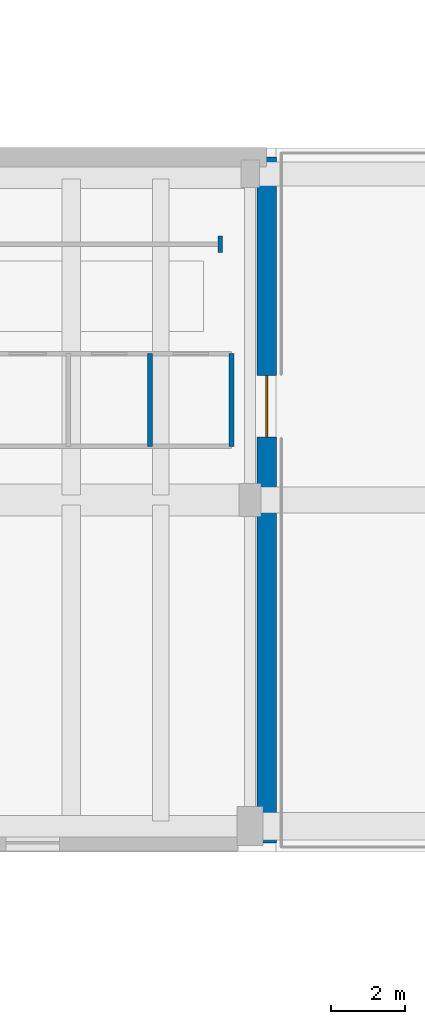
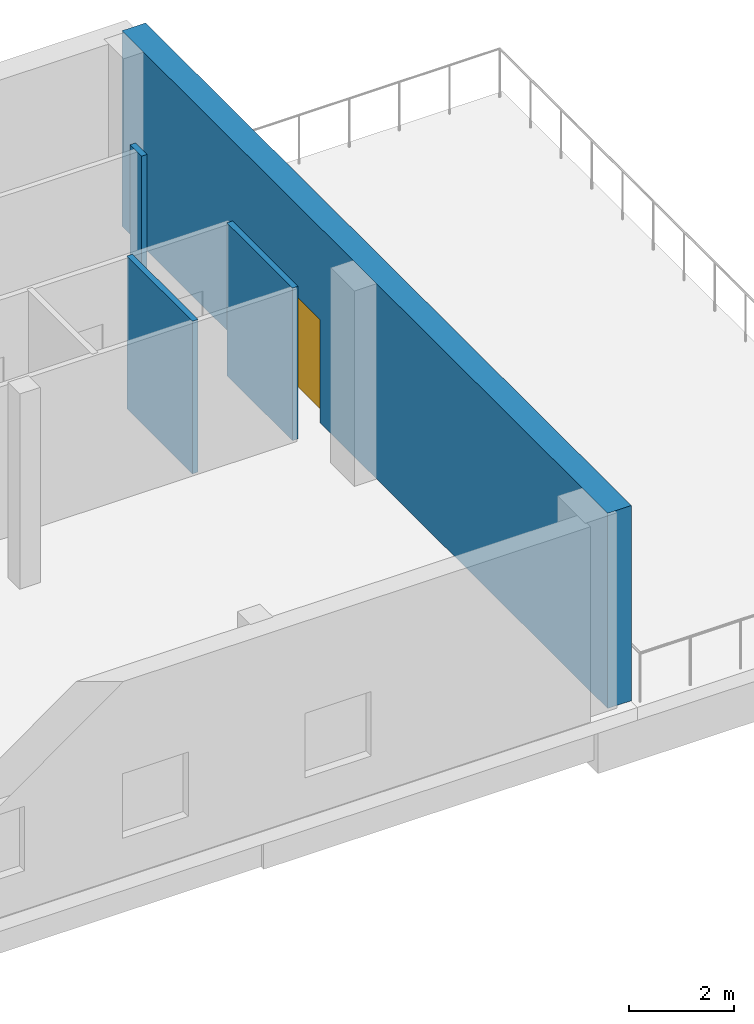
# One storey, part 40 of 49: 4 walls, 1 door, 1 opening.
"""IFC4 building model written with IfcOpenShell, lengths in metres."""

import ifcopenshell
import ifcopenshell.guid

model = None  # the IFC model being written
_history = None  # IfcOwnerHistory: only IFC2X3 demands one
_inside = {}  # id of a spatial element -> (the spatial element, [elements in it])
_under = {}  # id of a project, library or spatial element -> (it, [spatial elements below it])
_declared = {}  # id of a project -> (the project, [libraries it declares])
_typed = {}  # id of a type object -> (the type object, [elements of that type])
_made_of = {}  # id of a material, layer set ... -> (it, [elements and type objects made of it])


def new_model(schema):
    """Start an empty IFC model of exactly this schema.

    Asked for "IFC4X3", IfcOpenShell would pick the latest addendum, in which some entities
    have other attributes; the version numbers below select the first issue.
    IFC2X3 requires an IfcOwnerHistory on every rooted entity: one is made here for all.
    """
    global model, _history
    if schema == "IFC4X3":
        model = ifcopenshell.file(schema_version=(4, 3, 0, 0))
    else:
        model = ifcopenshell.file(schema=schema)
    _inside.clear()
    _under.clear()
    _declared.clear()
    _typed.clear()
    _made_of.clear()
    _history = None
    if model.schema == "IFC2X3":
        org = make("IfcOrganization", Name="unknown")
        user = make(
            "IfcPersonAndOrganization",
            ThePerson=make("IfcPerson", FamilyName="unknown"),
            TheOrganization=org,
        )
        app = make(
            "IfcApplication",
            ApplicationDeveloper=org,
            Version="unknown",
            ApplicationFullName="unknown",
            ApplicationIdentifier="unknown",
        )
        _history = make(
            "IfcOwnerHistory",
            OwningUser=user,
            OwningApplication=app,
            ChangeAction="ADDED",
            CreationDate=0,
        )
    return model


def make(cls, **values):
    """One entity of the class cls with the attributes given. An attribute that is None is left unset."""
    return model.create_entity(
        cls, **{name: value for name, value in values.items() if value is not None}
    )


def rooted(cls, **values):
    """An entity with a GlobalId (a new one), such as an element, a storey or a relation."""
    return make(cls, GlobalId=ifcopenshell.guid.new(), OwnerHistory=_history, **values)


def si_unit(unit_type, name, prefix=None):
    """IfcSIUnit, for example si_unit("LENGTHUNIT", "METRE", prefix="MILLI")."""
    return make("IfcSIUnit", UnitType=unit_type, Prefix=prefix, Name=name)


def assignment(units):
    """IfcUnitAssignment: the units of a project."""
    return None if units is None else make("IfcUnitAssignment", Units=units)


def point(xyz):
    """IfcCartesianPoint."""
    return None if xyz is None else make("IfcCartesianPoint", Coordinates=xyz)


def direction(xyz):
    """IfcDirection."""
    return None if xyz is None else make("IfcDirection", DirectionRatios=xyz)


def frame(location, z_axis=None, x_axis=None):
    """IfcAxis2Placement3D, a coordinate frame: its origin and axes. An axis left out is left unset."""
    return make(
        "IfcAxis2Placement3D",
        Location=point(location),
        Axis=direction(z_axis),
        RefDirection=direction(x_axis),
    )


def frame_2d(location, x_axis=None):
    """IfcAxis2Placement2D, a coordinate frame in the plane: its origin and x axis."""
    return make(
        "IfcAxis2Placement2D", Location=point(location), RefDirection=direction(x_axis)
    )


def origin():
    """The frame at (0, 0, 0) with its axes left unset."""
    return frame((0.0, 0.0, 0.0))


def place(relative_to, where):
    """IfcLocalPlacement: puts the frame where relative to a parent placement (None: the world)."""
    return make(
        "IfcLocalPlacement", PlacementRelTo=relative_to, RelativePlacement=where
    )


def context(
    kind, dimensions, precision=None, world=None, true_north=None, identifier=None
):
    """IfcGeometricRepresentationContext, for example the 3D "Model" context."""
    return make(
        "IfcGeometricRepresentationContext",
        ContextIdentifier=identifier,
        ContextType=kind,
        CoordinateSpaceDimension=dimensions,
        Precision=precision,
        WorldCoordinateSystem=world,
        TrueNorth=true_north,
    )


def subcontext(parent, identifier, kind, view, scale=None):
    """IfcGeometricRepresentationSubContext, for example "Body" below "Model"."""
    return make(
        "IfcGeometricRepresentationSubContext",
        ContextIdentifier=identifier,
        ContextType=kind,
        ParentContext=parent,
        TargetScale=scale,
        TargetView=view,
    )


def project(units=None, contexts=None):
    """IfcProject with its units and contexts."""
    return rooted(
        "IfcProject",
        Name="project",
        RepresentationContexts=contexts,
        UnitsInContext=assignment(units),
    )


def spatial(cls, under=None, at=None, **own):
    """A site, building, storey or space (cls), placed at a placement, below another one or the project."""
    s = rooted(cls, ObjectPlacement=at, **own)
    if under is not None:
        _under.setdefault(under.id(), (under, []))[1].append(s)
    return s


def profile(cls, at=None, kind="AREA", **sizes):
    """A parametric profile (cls). Its sizes go by their IFC names, for example OverallWidth=200.0."""
    return make(cls, ProfileType=kind, Position=at, **sizes)


def rectangle(**sizes):
    """IfcRectangleProfileDef."""
    return profile("IfcRectangleProfileDef", **sizes)


def extrude(swept, where, along, depth):
    """IfcExtrudedAreaSolid: the profile swept, set in the frame where, extruded along a direction by depth."""
    return make(
        "IfcExtrudedAreaSolid",
        SweptArea=swept,
        Position=where,
        ExtrudedDirection=direction(along),
        Depth=depth,
    )


def shape(context_of_items, identifier, shape_type, items):
    """IfcShapeRepresentation: the items that make up one representation, for example the "Body"."""
    return make(
        "IfcShapeRepresentation",
        ContextOfItems=context_of_items,
        RepresentationIdentifier=identifier,
        RepresentationType=shape_type,
        Items=items,
    )


def material(Name=None, Category=None):
    """IfcMaterial."""
    return make("IfcMaterial", Name=Name, Category=Category)


def layer(
    of_material, thickness, ventilated=None, Name=None, Category=None, Priority=None
):
    """IfcMaterialLayer: one layer of a wall or slab, of a material (None: an air gap)."""
    return make(
        "IfcMaterialLayer",
        Material=of_material,
        LayerThickness=thickness,
        IsVentilated=ventilated,
        Name=Name,
        Category=Category,
        Priority=Priority,
    )


def layer_set(layers, Name=None):
    """IfcMaterialLayerSet."""
    return make("IfcMaterialLayerSet", MaterialLayers=layers, LayerSetName=Name)


def made_of(thing, what):
    """Note that an element or type object is made of a material, layer set ...; save() writes the relation."""
    if what is not None:
        _made_of.setdefault(what.id(), (what, []))[1].append(thing)
    return thing


def type_object(cls, material=None, **own):
    """A type object (cls), such as IfcWallType, which elements share."""
    return made_of(rooted(cls, **own), material)


def element(
    cls,
    number,
    at=None,
    inside=None,
    cuts=None,
    type_object=None,
    material=None,
    context=None,
    identifier="Body",
    shape_type=None,
    held_by="IfcProductDefinitionShape",
    body=None,
    shapes=None,
    **own,
):
    """One element of the class cls, such as IfcWall. Its Tag is "e" and its number.

    at: its placement. inside: the storey or other place that contains it. cuts: it is an
    opening in that element (IfcRelVoidsElement). A single representation is given by context,
    identifier, shape_type and body (its items); several are given by shapes. held_by: the class
    of the entity that holds the representations. save() writes the other relations.
    """
    e = rooted(cls, Tag="e%d" % number, ObjectPlacement=at, **own)
    if body is not None:
        shapes = [shape(context, identifier, shape_type, body)]
    if shapes is not None:
        e.Representation = make(held_by, Representations=shapes)
    if inside is not None:
        _inside.setdefault(inside.id(), (inside, []))[1].append(e)
    if cuts is not None:
        rooted(
            "IfcRelVoidsElement", RelatingBuildingElement=cuts, RelatedOpeningElement=e
        )
    if type_object is not None:
        _typed.setdefault(type_object.id(), (type_object, []))[1].append(e)
    return made_of(e, material)


def fill(opening, filler):
    """IfcRelFillsElement: the door or window that sits in an opening."""
    return rooted(
        "IfcRelFillsElement",
        RelatingOpeningElement=opening,
        RelatedBuildingElement=filler,
    )


def aggregate(whole, parts):
    """IfcRelAggregates: a whole, such as a stair, and the parts it consists of."""
    return rooted("IfcRelAggregates", RelatingObject=whole, RelatedObjects=parts)


def save(model, path):
    """Write the relations noted so far, then the file.

    IfcRelAggregates (storeys below a building ...), IfcRelContainedInSpatialStructure (elements
    in a storey), IfcRelDefinesByType, IfcRelAssociatesMaterial and IfcRelDeclares: one each for
    every whole, place, type object, material and project.
    """
    for whole, parts in _under.values():
        aggregate(whole, parts)
    for where, things in _inside.values():
        rooted(
            "IfcRelContainedInSpatialStructure",
            RelatedElements=things,
            RelatingStructure=where,
        )
    for kind, things in _typed.values():
        rooted("IfcRelDefinesByType", RelatedObjects=things, RelatingType=kind)
    for what, things in _made_of.values():
        rooted("IfcRelAssociatesMaterial", RelatedObjects=things, RelatingMaterial=what)
    for by, libraries in _declared.values():
        rooted("IfcRelDeclares", RelatingContext=by, RelatedDefinitions=libraries)
    model.write(path)


model = new_model("IFC4")

# Units and contexts
model_context = context("Model", 3, precision=1e-05, world=origin(), true_north=direction((0.0, 1.0)))
body_context = subcontext(model_context, "Body", "Model", "MODEL_VIEW")
ifc_project = project(units=[si_unit("LENGTHUNIT", "METRE"), si_unit("AREAUNIT", "SQUARE_METRE"), si_unit("VOLUMEUNIT", "CUBIC_METRE"), si_unit("PLANEANGLEUNIT", "RADIAN"), si_unit("MASSUNIT", "GRAM", prefix="KILO")], contexts=[model_context])

# Site, building, storey
site_placement = place(None, origin())
site = spatial("IfcSite", under=ifc_project, at=site_placement, CompositionType="ELEMENT")
building_placement = place(site_placement, origin())
building = spatial("IfcBuilding", under=site, at=building_placement, Name="Soyqirgoq Riverine Aquarium", CompositionType="ELEMENT")
storey_placement = place(building_placement, frame((0.0, 0.0, 15.0)))
storey = spatial("IfcBuildingStorey", under=building, at=storey_placement, Name="L04", CompositionType="ELEMENT", Elevation=15.0)

# Walls
ifc_material_1 = material(Name="Lightweight steel-stud gypsum partition", Category="steel")
ifc_layer_1 = layer(ifc_material_1, 0.1201171875)
ifc_layer_set_1 = layer_set([ifc_layer_1], Name="Lightweight steel-stud gypsum partition")
wall_type_1 = type_object("IfcWallType", Name="PartitionWall_120_Std", PredefinedType="PARTITIONING", material=ifc_layer_set_1)
wall_1_placement = place(storey_placement, frame((144.5, 72.6201171875, 0.0), z_axis=(0.0, 0.0, 1.0), x_axis=(0.0, -1.0, 0.0)))
element("IfcWall", 1, at=wall_1_placement, inside=storey, type_object=wall_type_1, Name="V7 L04 Jamb Return Pier", PredefinedType="PARTITIONING", context=body_context, shape_type="SweptSolid", body=[
    extrude(rectangle(XDim=0.440185546875, YDim=0.1201171875, at=frame_2d((0.22021484375, 0.0))), origin(), (0.0, 0.0, 1.0), 3.550048828125),
])
ifc_material_2 = material(Name="Moisture-resistant cement-board wet-room partition", Category="gypsum")
ifc_layer_2 = layer(ifc_material_2, 0.125)
ifc_layer_set_2 = layer_set([ifc_layer_2], Name="Moisture-resistant cement-board wet-room partition")
wall_type_2 = type_object("IfcWallType", Name="PartitionWall_125_Wet", PredefinedType="PARTITIONING", material=ifc_layer_set_2)
for number, where, z_axis, x_axis, name in (
    (2, (144.800048828125, 66.949951171875, 0.0), (0.0, 0.0, 1.0), (0.0, 1.0, 0.0), "V7 L04 WC Suite East Wall"),
    (3, (142.60009765625, 66.949951171875, 0.0), (0.0, 0.0, 1.0), (0.0, 1.0, 0.0), "V7 L04 WC Cubicle Divider 2"),
):
    element("IfcWall", number, at=place(storey_placement, frame(where, z_axis=z_axis, x_axis=x_axis)), inside=storey, type_object=wall_type_2, Name=name, PredefinedType="PARTITIONING", context=body_context, shape_type="SweptSolid", body=[
        extrude(rectangle(XDim=2.5, YDim=0.125, at=frame_2d((1.25, 0.0))), origin(), (0.0, 0.0, 1.0), 3.550048828125),
    ])

# Wall, opening, door
ifc_material_3 = material(Name="Honed travertine limestone cavity wall", Category="masonry")
ifc_layer_3 = layer(ifc_material_3, 0.52001953125)
ifc_layer_set_3 = layer_set([ifc_layer_3], Name="Honed travertine limestone cavity wall")
wall_type_3 = type_object("IfcWallType", Name="TravertineCavityWall_520", PredefinedType="SOLIDWALL", material=ifc_layer_set_3)
wall_2_placement = place(storey_placement, frame((145.75, 74.75, 0.0), z_axis=(0.0, 0.0, 1.0), x_axis=(0.0, -1.0, 0.0)))
wall_2 = element("IfcWall", 4, at=wall_2_placement, inside=storey, type_object=wall_type_3, Name="V7 L04 Exterior Travertine Wall 0398", PredefinedType="SOLIDWALL", context=body_context, shape_type="SweptSolid", body=[
    extrude(rectangle(XDim=18.5, YDim=0.52001953125, at=frame_2d((9.25, 0.0))), origin(), (0.0, 0.0, 1.0), 4.5400390625),
])
opening_placement = place(wall_2_placement, frame((5.8974609375, 0.0, 0.0)))
opening = element("IfcOpeningElement", 5, at=opening_placement, cuts=wall_2, Name="Opening TD-03", PredefinedType="OPENING", context=body_context, shape_type="SweptSolid", body=[
    extrude(rectangle(XDim=1.64990234375, YDim=2.39990234375, at=frame_2d((0.824951171875, 1.199951171875))), frame((0.0, 0.27001953125, 0.0), z_axis=(0.0, -1.0, 0.0), x_axis=(1.0, 0.0, 0.0)), (0.0, 0.0, 1.0), 0.5400390625),
])
ifc_material_4 = material(Name="Thermally broken aluminium glazed terrace door", Category="aluminium")
door_type = type_object("IfcDoorType", Name="TerraceDoubleDoor_1650x2400", OperationType="DOUBLE_DOOR_SINGLE_SWING", PredefinedType="DOOR", material=ifc_material_4)
door_placement = place(opening_placement, origin())
door = element("IfcDoor", 6, at=door_placement, inside=storey, type_object=door_type, Name="EDR-TERR-V7-L04-034 V7 L04 Planted Roof Terrace Access Door", OperationType="DOUBLE_DOOR_SINGLE_SWING", OverallHeight=2.39990234375, OverallWidth=1.64990234375, PredefinedType="DOOR", context=body_context, shape_type="SweptSolid", body=[
    extrude(rectangle(XDim=1.64990234375, YDim=2.39990234375, at=frame_2d((0.824951171875, 1.199951171875))), frame((0.0, 0.02490234375, 0.0), z_axis=(0.0, -1.0, 0.0), x_axis=(1.0, 0.0, 0.0)), (0.0, 0.0, 1.0), 0.050048828125),
])
fill(opening, door)

save(model, "model.ifc")
